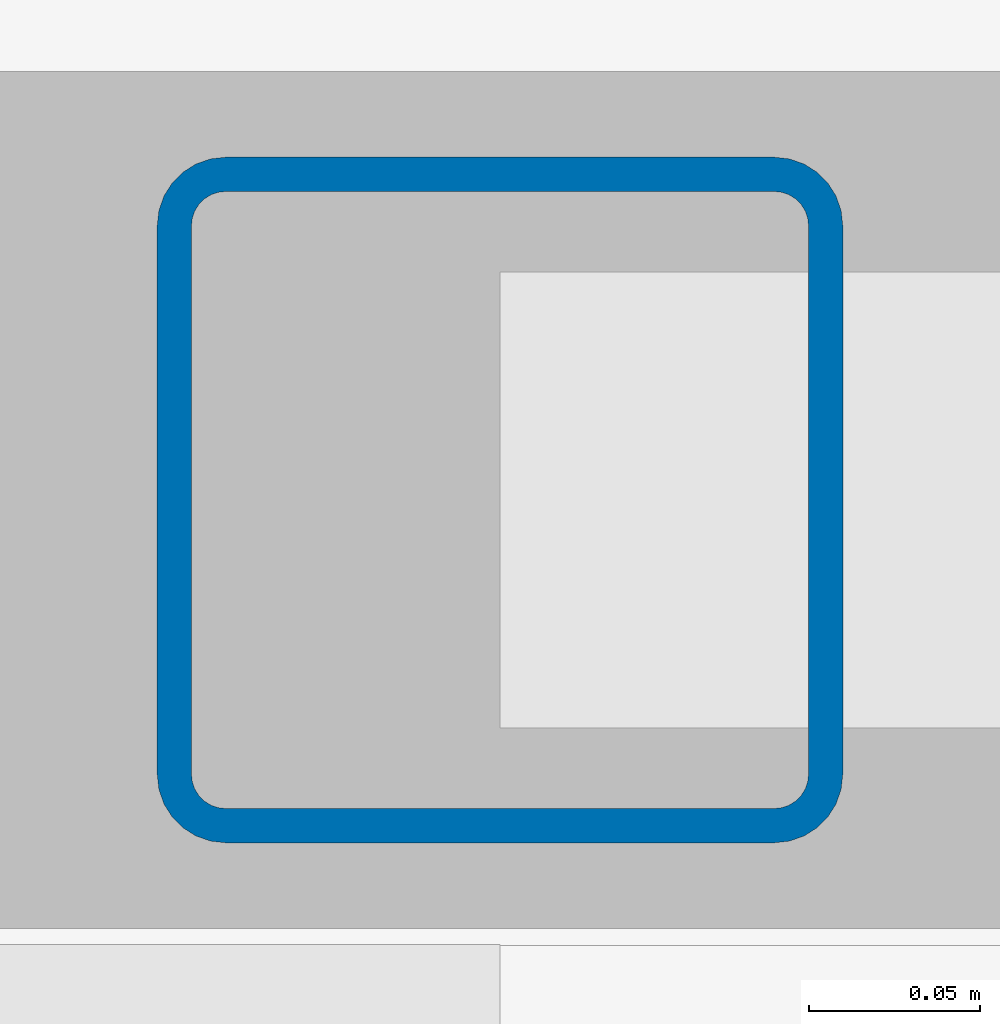
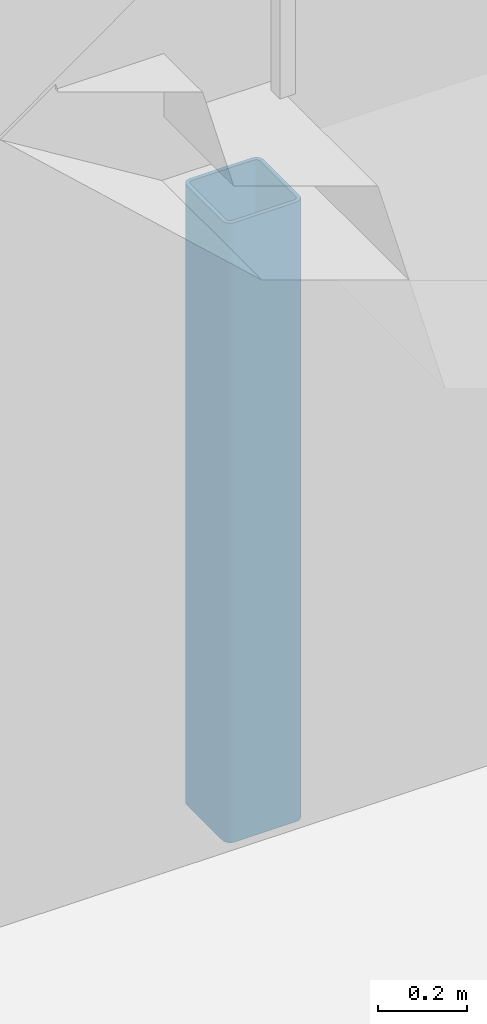
# One storey, part 2 of 12: 1 column.
"""IFC4 building model written with IfcOpenShell, lengths in metres."""

from ifc_helpers import new_model, si_unit, direction, frame, origin, origin_2d, place, context, subcontext, project, spatial, hollow_rectangle, extrude, material, material_profile, profile_set, type_object, element, save


model = new_model("IFC4")

# Units and contexts
model_context = context("Model", 3, precision=1e-05, world=origin(), true_north=direction((0.0, 1.0)))
body_context = subcontext(model_context, "Body", "Model", "MODEL_VIEW")
ifc_project = project(units=[si_unit("LENGTHUNIT", "METRE"), si_unit("AREAUNIT", "SQUARE_METRE"), si_unit("VOLUMEUNIT", "CUBIC_METRE"), si_unit("PLANEANGLEUNIT", "RADIAN"), si_unit("MASSUNIT", "GRAM", prefix="KILO")], contexts=[model_context])

# Site, building, storey
site_placement = place(None, origin())
site = spatial("IfcSite", under=ifc_project, at=site_placement, CompositionType="ELEMENT")
building_placement = place(site_placement, origin())
building = spatial("IfcBuilding", under=site, at=building_placement, Name="Kazma Halo Residences", CompositionType="ELEMENT")
storey_placement = place(building_placement, frame((0.0, 0.0, -7.60009765625)))
storey = spatial("IfcBuildingStorey", under=building, at=storey_placement, Name="B02", CompositionType="ELEMENT", Elevation=-7.60009765625)

# Column
ifc_material = material(Name="Steel S355", Category="steel")
ifc_material_profile = material_profile(ifc_material, hollow_rectangle(XDim=0.199951171875, YDim=0.199951171875, WallThickness=0.010009765625, InnerFilletRadius=0.010009765625, OuterFilletRadius=0.02001953125, at=origin_2d()), Name="SHS200x200x10")
ifc_profile_set = profile_set([ifc_material_profile], Name="Steel S355")
column_type = type_object("IfcColumnType", Name="COL-LP-SHS200", PredefinedType="COLUMN", material=ifc_profile_set)
column_placement = place(storey_placement, frame((56.0, 37.3798828125, 0.0), z_axis=(0.0, 0.0, 1.0), x_axis=(1.0, 0.0, 0.0)))
element("IfcColumn", 1, at=column_placement, inside=storey, type_object=column_type, Name="B02 ST-03 landing pilaster 1", PredefinedType="COLUMN", context=body_context, shape_type="SweptSolid", body=[
    extrude(hollow_rectangle(XDim=0.199951171875, YDim=0.199951171875, WallThickness=0.010009765625, InnerFilletRadius=0.010009765625, OuterFilletRadius=0.02001953125, at=origin_2d()), origin(), (0.0, 0.0, 1.0), 1.695068359375),
])

save(model, "model.ifc")
